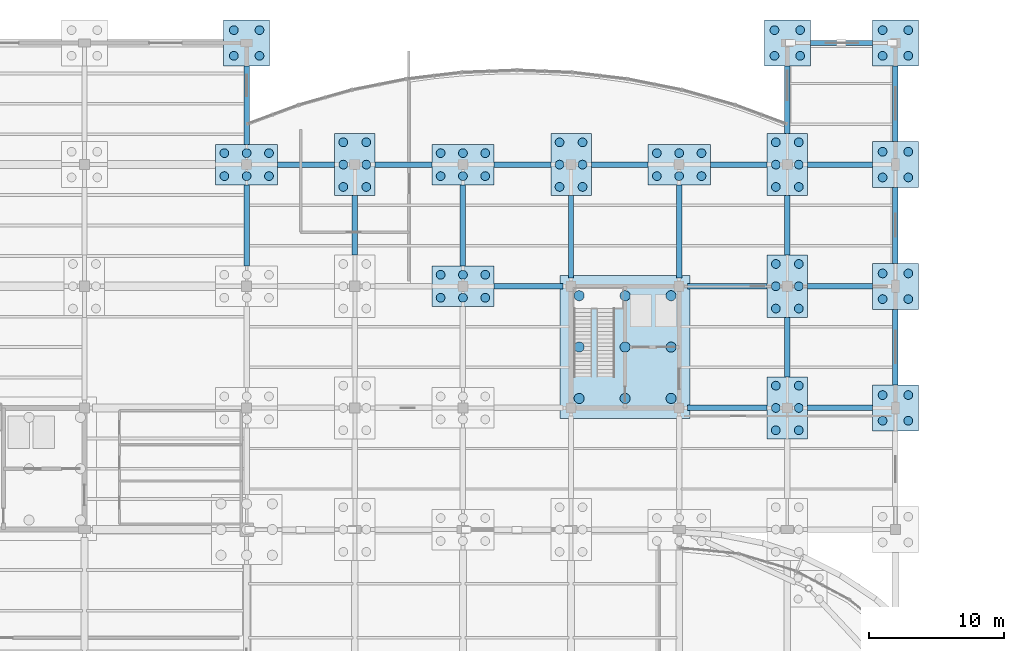
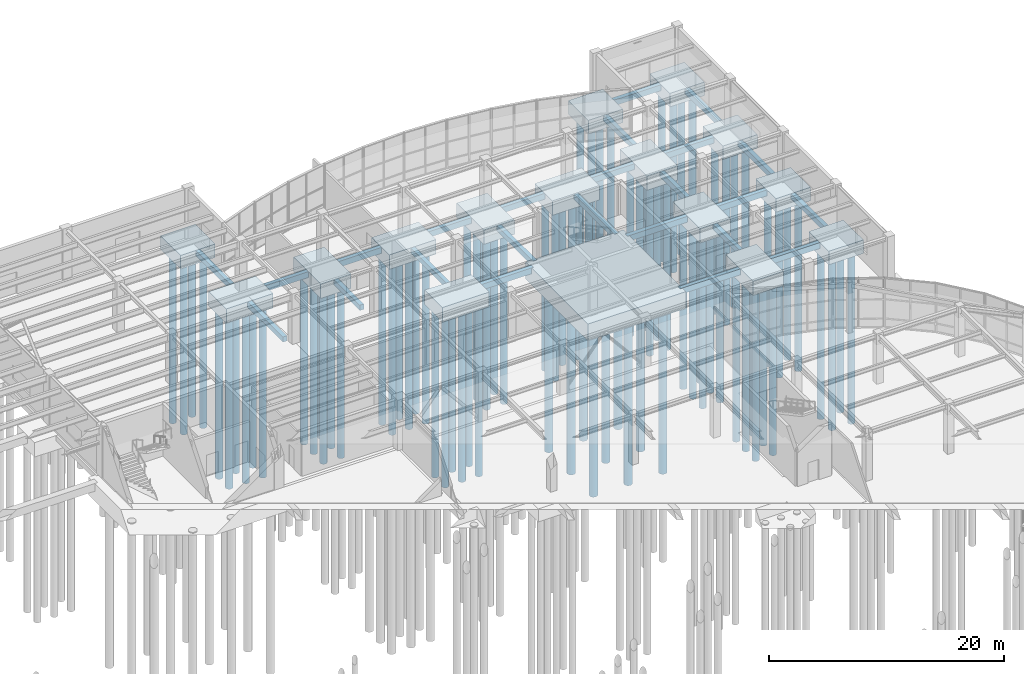
# One storey, part 10 of 85: 87 piles, 40 footings.
"""IFC4 building model written with IfcOpenShell, lengths in metres."""

from ifc_helpers import new_model, si_unit, direction, frame, origin, origin_2d, place, context, subcontext, project, spatial, polyline, rectangle, circle, outline, extrude, material, material_profile, profile_set, type_object, element, save


model = new_model("IFC4")

# Units and contexts
model_context = context("Model", 3, precision=1e-05, world=origin(), true_north=direction((0.0, 1.0)))
body_context = subcontext(model_context, "Body", "Model", "MODEL_VIEW")
ifc_project = project(units=[si_unit("LENGTHUNIT", "METRE"), si_unit("AREAUNIT", "SQUARE_METRE"), si_unit("VOLUMEUNIT", "CUBIC_METRE"), si_unit("PLANEANGLEUNIT", "RADIAN"), si_unit("MASSUNIT", "GRAM", prefix="KILO")], contexts=[model_context])

# Site, building, storey
site_placement = place(None, origin())
site = spatial("IfcSite", under=ifc_project, at=site_placement, CompositionType="ELEMENT")
building_placement = place(site_placement, origin())
building = spatial("IfcBuilding", under=site, at=building_placement, Name="Keelwater Ferry Terminal", CompositionType="ELEMENT")
storey_placement = place(building_placement, origin())
storey = spatial("IfcBuildingStorey", under=building, at=storey_placement, Name="L00", CompositionType="ELEMENT", Elevation=0.0)

# Piles
ifc_material_1 = material(Name="Concrete C45/55", Category="concrete")
ifc_material_profile_1 = material_profile(ifc_material_1, circle(Radius=0.375, at=origin_2d()), Name="PILE D750")
ifc_profile_set_1 = profile_set([ifc_material_profile_1], Name="Concrete C45/55")
pile_type_1 = type_object("IfcPileType", Name="P1 PILE D750", PredefinedType="DRIVEN", material=ifc_profile_set_1)
for number, where, z_axis, x_axis, name in (
    (1, (156.60009765625, 99.699951171875, -2.050048828125), (0.0, 0.0, -1.0), (1.0, 0.0, 0.0), "Driven Pile 0025"),
    (2, (156.60009765625, 103.5, -2.050048828125), (0.0, 0.0, -1.0), (1.0, 0.0, 0.0), "Driven Pile 0026"),
    (3, (156.60009765625, 107.300048828125, -2.050048828125), (0.0, 0.0, -1.0), (1.0, 0.0, 0.0), "Driven Pile 0027"),
    (4, (160.0, 99.699951171875, -2.050048828125), (0.0, 0.0, -1.0), (1.0, 0.0, 0.0), "Driven Pile 0028"),
    (5, (160.0, 103.5, -2.050048828125), (0.0, 0.0, -1.0), (1.0, 0.0, 0.0), "Driven Pile 0029"),
    (6, (160.0, 107.300048828125, -2.050048828125), (0.0, 0.0, -1.0), (1.0, 0.0, 0.0), "Driven Pile 0030"),
    (7, (163.39990234375, 99.699951171875, -2.050048828125), (0.0, 0.0, -1.0), (1.0, 0.0, 0.0), "Driven Pile 0031"),
    (8, (163.39990234375, 103.5, -2.050048828125), (0.0, 0.0, -1.0), (1.0, 0.0, 0.0), "Driven Pile 0032"),
    (9, (163.39990234375, 107.300048828125, -2.050048828125), (0.0, 0.0, -1.0), (1.0, 0.0, 0.0), "Driven Pile 0033"),
):
    element("IfcPile", number, at=place(storey_placement, frame(where, z_axis=z_axis, x_axis=x_axis)), inside=storey, type_object=pile_type_1, Name=name, PredefinedType="DRIVEN", context=body_context, shape_type="SweptSolid", body=[
        extrude(circle(Radius=0.375, at=origin_2d()), origin(), (0.0, 0.0, 1.0), 17.449951171875),
    ])
ifc_material_2 = material(Name="Concrete C45/55", Category="concrete")
ifc_material_profile_2 = material_profile(ifc_material_2, circle(Radius=0.324951171875, at=origin_2d()), Name="PILE D650")
ifc_profile_set_2 = profile_set([ifc_material_profile_2], Name="Concrete C45/55")
pile_type_2 = type_object("IfcPileType", Name="P2 PILE D650", PredefinedType="DRIVEN", material=ifc_profile_set_2)
for number, where, z_axis, x_axis, name in (
    (10, (130.35009765625, 116.14990234375, -1.800048828125), (0.0, 0.0, -1.0), (1.0, 0.0, 0.0), "Driven Pile 0387"),
    (11, (132.0, 116.14990234375, -1.800048828125), (0.0, 0.0, -1.0), (1.0, 0.0, 0.0), "Driven Pile 0388"),
    (12, (133.64990234375, 116.14990234375, -1.800048828125), (0.0, 0.0, -1.0), (1.0, 0.0, 0.0), "Driven Pile 0389"),
    (13, (130.35009765625, 117.85009765625, -1.800048828125), (0.0, 0.0, -1.0), (1.0, 0.0, 0.0), "Driven Pile 0390"),
    (14, (132.0, 117.85009765625, -1.800048828125), (0.0, 0.0, -1.0), (1.0, 0.0, 0.0), "Driven Pile 0391"),
    (15, (133.64990234375, 117.85009765625, -1.800048828125), (0.0, 0.0, -1.0), (1.0, 0.0, 0.0), "Driven Pile 0392"),
):
    element("IfcPile", number, at=place(storey_placement, frame(where, z_axis=z_axis, x_axis=x_axis)), inside=storey, type_object=pile_type_2, Name=name, PredefinedType="DRIVEN", context=body_context, shape_type="SweptSolid", body=[
        extrude(circle(Radius=0.324951171875, at=origin_2d()), origin(), (0.0, 0.0, 1.0), 17.699951171875),
    ])
for number, where, z_axis, x_axis, name in (
    (16, (131.050048828125, 125.050048828125, -1.699951171875), (0.0, 0.0, -1.0), (1.0, 0.0, 0.0), "Driven Pile 0393"),
    (17, (132.949951171875, 125.050048828125, -1.699951171875), (0.0, 0.0, -1.0), (1.0, 0.0, 0.0), "Driven Pile 0394"),
    (18, (131.050048828125, 126.949951171875, -1.699951171875), (0.0, 0.0, -1.0), (1.0, 0.0, 0.0), "Driven Pile 0395"),
    (19, (132.949951171875, 126.949951171875, -1.699951171875), (0.0, 0.0, -1.0), (1.0, 0.0, 0.0), "Driven Pile 0396"),
):
    element("IfcPile", number, at=place(storey_placement, frame(where, z_axis=z_axis, x_axis=x_axis)), inside=storey, type_object=pile_type_2, Name=name, PredefinedType="DRIVEN", context=body_context, shape_type="SweptSolid", body=[
        extrude(circle(Radius=0.324951171875, at=origin_2d()), origin(), (0.0, 0.0, 1.0), 17.800048828125),
    ])
for number, where, z_axis, x_axis, name in (
    (20, (139.14990234375, 115.35009765625, -1.800048828125), (0.0, 0.0, -1.0), (1.0, 0.0, 0.0), "Driven Pile 0445"),
    (21, (140.85009765625, 115.35009765625, -1.800048828125), (0.0, 0.0, -1.0), (1.0, 0.0, 0.0), "Driven Pile 0446"),
    (22, (139.14990234375, 117.0, -1.800048828125), (0.0, 0.0, -1.0), (1.0, 0.0, 0.0), "Driven Pile 0447"),
    (23, (140.85009765625, 117.0, -1.800048828125), (0.0, 0.0, -1.0), (1.0, 0.0, 0.0), "Driven Pile 0448"),
    (24, (139.14990234375, 118.64990234375, -1.800048828125), (0.0, 0.0, -1.0), (1.0, 0.0, 0.0), "Driven Pile 0449"),
    (25, (140.85009765625, 118.64990234375, -1.800048828125), (0.0, 0.0, -1.0), (1.0, 0.0, 0.0), "Driven Pile 0450"),
    (26, (146.35009765625, 107.14990234375, -1.800048828125), (0.0, 0.0, -1.0), (1.0, 0.0, 0.0), "Driven Pile 0479"),
    (27, (148.0, 107.14990234375, -1.800048828125), (0.0, 0.0, -1.0), (1.0, 0.0, 0.0), "Driven Pile 0480"),
    (28, (149.64990234375, 107.14990234375, -1.800048828125), (0.0, 0.0, -1.0), (1.0, 0.0, 0.0), "Driven Pile 0481"),
    (29, (146.35009765625, 108.85009765625, -1.800048828125), (0.0, 0.0, -1.0), (1.0, 0.0, 0.0), "Driven Pile 0482"),
    (30, (148.0, 108.85009765625, -1.800048828125), (0.0, 0.0, -1.0), (1.0, 0.0, 0.0), "Driven Pile 0483"),
    (31, (149.64990234375, 108.85009765625, -1.800048828125), (0.0, 0.0, -1.0), (1.0, 0.0, 0.0), "Driven Pile 0484"),
    (32, (146.35009765625, 116.14990234375, -1.800048828125), (0.0, 0.0, -1.0), (1.0, 0.0, 0.0), "Driven Pile 0485"),
    (33, (148.0, 116.14990234375, -1.800048828125), (0.0, 0.0, -1.0), (1.0, 0.0, 0.0), "Driven Pile 0486"),
    (34, (149.64990234375, 116.14990234375, -1.800048828125), (0.0, 0.0, -1.0), (1.0, 0.0, 0.0), "Driven Pile 0487"),
    (35, (146.35009765625, 117.85009765625, -1.800048828125), (0.0, 0.0, -1.0), (1.0, 0.0, 0.0), "Driven Pile 0488"),
    (36, (148.0, 117.85009765625, -1.800048828125), (0.0, 0.0, -1.0), (1.0, 0.0, 0.0), "Driven Pile 0489"),
    (37, (149.64990234375, 117.85009765625, -1.800048828125), (0.0, 0.0, -1.0), (1.0, 0.0, 0.0), "Driven Pile 0490"),
    (38, (155.14990234375, 115.35009765625, -1.800048828125), (0.0, 0.0, -1.0), (1.0, 0.0, 0.0), "Driven Pile 0509"),
    (39, (156.85009765625, 115.35009765625, -1.800048828125), (0.0, 0.0, -1.0), (1.0, 0.0, 0.0), "Driven Pile 0510"),
    (40, (155.14990234375, 117.0, -1.800048828125), (0.0, 0.0, -1.0), (1.0, 0.0, 0.0), "Driven Pile 0511"),
    (41, (156.85009765625, 117.0, -1.800048828125), (0.0, 0.0, -1.0), (1.0, 0.0, 0.0), "Driven Pile 0512"),
    (42, (155.14990234375, 118.64990234375, -1.800048828125), (0.0, 0.0, -1.0), (1.0, 0.0, 0.0), "Driven Pile 0513"),
    (43, (156.85009765625, 118.64990234375, -1.800048828125), (0.0, 0.0, -1.0), (1.0, 0.0, 0.0), "Driven Pile 0514"),
    (44, (162.35009765625, 116.14990234375, -1.800048828125), (0.0, 0.0, -1.0), (1.0, 0.0, 0.0), "Driven Pile 0537"),
    (45, (164.0, 116.14990234375, -1.800048828125), (0.0, 0.0, -1.0), (1.0, 0.0, 0.0), "Driven Pile 0538"),
    (46, (165.64990234375, 116.14990234375, -1.800048828125), (0.0, 0.0, -1.0), (1.0, 0.0, 0.0), "Driven Pile 0539"),
    (47, (162.35009765625, 117.85009765625, -1.800048828125), (0.0, 0.0, -1.0), (1.0, 0.0, 0.0), "Driven Pile 0540"),
    (48, (164.0, 117.85009765625, -1.800048828125), (0.0, 0.0, -1.0), (1.0, 0.0, 0.0), "Driven Pile 0541"),
    (49, (165.64990234375, 117.85009765625, -1.800048828125), (0.0, 0.0, -1.0), (1.0, 0.0, 0.0), "Driven Pile 0542"),
    (50, (171.14990234375, 97.35009765625, -1.800048828125), (0.0, 0.0, -1.0), (1.0, 0.0, 0.0), "Driven Pile 0561"),
    (51, (172.85009765625, 97.35009765625, -1.800048828125), (0.0, 0.0, -1.0), (1.0, 0.0, 0.0), "Driven Pile 0562"),
    (52, (171.14990234375, 99.0, -1.800048828125), (0.0, 0.0, -1.0), (1.0, 0.0, 0.0), "Driven Pile 0563"),
    (53, (172.85009765625, 99.0, -1.800048828125), (0.0, 0.0, -1.0), (1.0, 0.0, 0.0), "Driven Pile 0564"),
    (54, (171.14990234375, 100.64990234375, -1.800048828125), (0.0, 0.0, -1.0), (1.0, 0.0, 0.0), "Driven Pile 0565"),
    (55, (172.85009765625, 100.64990234375, -1.800048828125), (0.0, 0.0, -1.0), (1.0, 0.0, 0.0), "Driven Pile 0566"),
    (56, (171.14990234375, 106.35009765625, -1.800048828125), (0.0, 0.0, -1.0), (1.0, 0.0, 0.0), "Driven Pile 0567"),
    (57, (172.85009765625, 106.35009765625, -1.800048828125), (0.0, 0.0, -1.0), (1.0, 0.0, 0.0), "Driven Pile 0568"),
    (58, (171.14990234375, 108.0, -1.800048828125), (0.0, 0.0, -1.0), (1.0, 0.0, 0.0), "Driven Pile 0569"),
    (59, (172.85009765625, 108.0, -1.800048828125), (0.0, 0.0, -1.0), (1.0, 0.0, 0.0), "Driven Pile 0570"),
    (60, (171.14990234375, 109.64990234375, -1.800048828125), (0.0, 0.0, -1.0), (1.0, 0.0, 0.0), "Driven Pile 0571"),
    (61, (172.85009765625, 109.64990234375, -1.800048828125), (0.0, 0.0, -1.0), (1.0, 0.0, 0.0), "Driven Pile 0572"),
    (62, (171.14990234375, 115.35009765625, -1.800048828125), (0.0, 0.0, -1.0), (1.0, 0.0, 0.0), "Driven Pile 0573"),
    (63, (172.85009765625, 115.35009765625, -1.800048828125), (0.0, 0.0, -1.0), (1.0, 0.0, 0.0), "Driven Pile 0574"),
    (64, (171.14990234375, 117.0, -1.800048828125), (0.0, 0.0, -1.0), (1.0, 0.0, 0.0), "Driven Pile 0575"),
    (65, (172.85009765625, 117.0, -1.800048828125), (0.0, 0.0, -1.0), (1.0, 0.0, 0.0), "Driven Pile 0576"),
    (66, (171.14990234375, 118.64990234375, -1.800048828125), (0.0, 0.0, -1.0), (1.0, 0.0, 0.0), "Driven Pile 0577"),
    (67, (172.85009765625, 118.64990234375, -1.800048828125), (0.0, 0.0, -1.0), (1.0, 0.0, 0.0), "Driven Pile 0578"),
):
    element("IfcPile", number, at=place(storey_placement, frame(where, z_axis=z_axis, x_axis=x_axis)), inside=storey, type_object=pile_type_2, Name=name, PredefinedType="DRIVEN", context=body_context, shape_type="SweptSolid", body=[
        extrude(circle(Radius=0.324951171875, at=origin_2d()), origin(), (0.0, 0.0, 1.0), 17.699951171875),
    ])
for number, where, z_axis, x_axis, name in (
    (68, (171.050048828125, 125.050048828125, -1.699951171875), (0.0, 0.0, -1.0), (1.0, 0.0, 0.0), "Driven Pile 0579"),
    (69, (172.949951171875, 125.050048828125, -1.699951171875), (0.0, 0.0, -1.0), (1.0, 0.0, 0.0), "Driven Pile 0580"),
    (70, (171.050048828125, 126.949951171875, -1.699951171875), (0.0, 0.0, -1.0), (1.0, 0.0, 0.0), "Driven Pile 0581"),
    (71, (172.949951171875, 126.949951171875, -1.699951171875), (0.0, 0.0, -1.0), (1.0, 0.0, 0.0), "Driven Pile 0582"),
    (72, (179.050048828125, 98.050048828125, -1.699951171875), (0.0, 0.0, -1.0), (1.0, 0.0, 0.0), "Driven Pile 0599"),
    (73, (180.949951171875, 98.050048828125, -1.699951171875), (0.0, 0.0, -1.0), (1.0, 0.0, 0.0), "Driven Pile 0600"),
    (74, (179.050048828125, 99.949951171875, -1.699951171875), (0.0, 0.0, -1.0), (1.0, 0.0, 0.0), "Driven Pile 0601"),
    (75, (180.949951171875, 99.949951171875, -1.699951171875), (0.0, 0.0, -1.0), (1.0, 0.0, 0.0), "Driven Pile 0602"),
    (76, (179.050048828125, 107.050048828125, -1.699951171875), (0.0, 0.0, -1.0), (1.0, 0.0, 0.0), "Driven Pile 0603"),
    (77, (180.949951171875, 107.050048828125, -1.699951171875), (0.0, 0.0, -1.0), (1.0, 0.0, 0.0), "Driven Pile 0604"),
    (78, (179.050048828125, 108.949951171875, -1.699951171875), (0.0, 0.0, -1.0), (1.0, 0.0, 0.0), "Driven Pile 0605"),
    (79, (180.949951171875, 108.949951171875, -1.699951171875), (0.0, 0.0, -1.0), (1.0, 0.0, 0.0), "Driven Pile 0606"),
    (80, (179.050048828125, 116.050048828125, -1.699951171875), (0.0, 0.0, -1.0), (1.0, 0.0, 0.0), "Driven Pile 0607"),
    (81, (180.949951171875, 116.050048828125, -1.699951171875), (0.0, 0.0, -1.0), (1.0, 0.0, 0.0), "Driven Pile 0608"),
    (82, (179.050048828125, 117.949951171875, -1.699951171875), (0.0, 0.0, -1.0), (1.0, 0.0, 0.0), "Driven Pile 0609"),
    (83, (180.949951171875, 117.949951171875, -1.699951171875), (0.0, 0.0, -1.0), (1.0, 0.0, 0.0), "Driven Pile 0610"),
    (84, (179.050048828125, 125.050048828125, -1.699951171875), (0.0, 0.0, -1.0), (1.0, 0.0, 0.0), "Driven Pile 0611"),
    (85, (180.949951171875, 125.050048828125, -1.699951171875), (0.0, 0.0, -1.0), (1.0, 0.0, 0.0), "Driven Pile 0612"),
    (86, (179.050048828125, 126.949951171875, -1.699951171875), (0.0, 0.0, -1.0), (1.0, 0.0, 0.0), "Driven Pile 0613"),
    (87, (180.949951171875, 126.949951171875, -1.699951171875), (0.0, 0.0, -1.0), (1.0, 0.0, 0.0), "Driven Pile 0614"),
):
    element("IfcPile", number, at=place(storey_placement, frame(where, z_axis=z_axis, x_axis=x_axis)), inside=storey, type_object=pile_type_2, Name=name, PredefinedType="DRIVEN", context=body_context, shape_type="SweptSolid", body=[
        extrude(circle(Radius=0.324951171875, at=origin_2d()), origin(), (0.0, 0.0, 1.0), 17.800048828125),
    ])

# Footings
ifc_material_3 = material(Name="Concrete C40/50", Category="concrete")
footing_type_1 = type_object("IfcFootingType", Name="PC06 3400x3400x1400", PredefinedType="PILE_CAP", material=ifc_material_3)
footing_1_placement = place(storey_placement, frame((0.0, 0.0, -1.800048828125)))
element("IfcFooting", 88, at=footing_1_placement, inside=storey, type_object=footing_type_1, Name="Pile Cap FT-CAP-0107", PredefinedType="PILE_CAP", context=body_context, shape_type="SweptSolid", body=[
    extrude(outline(polyline([(130.300048828125, 124.300048828125), (133.699951171875, 124.300048828125), (133.699951171875, 127.699951171875), (130.300048828125, 127.699951171875), (130.300048828125, 124.300048828125)])), origin(), (0.0, 0.0, 1.0), 1.400146484375),
])
footing_2_placement = place(storey_placement, frame((0.0, 0.0, -1.800048828125)))
element("IfcFooting", 89, at=footing_2_placement, inside=storey, type_object=footing_type_1, Name="Pile Cap FT-CAP-0147", PredefinedType="PILE_CAP", context=body_context, shape_type="SweptSolid", body=[
    extrude(outline(polyline([(170.300048828125, 124.300048828125), (173.699951171875, 124.300048828125), (173.699951171875, 127.699951171875), (170.300048828125, 127.699951171875), (170.300048828125, 124.300048828125)])), origin(), (0.0, 0.0, 1.0), 1.400146484375),
])
footing_3_placement = place(storey_placement, frame((0.0, 0.0, -1.800048828125)))
element("IfcFooting", 90, at=footing_3_placement, inside=storey, type_object=footing_type_1, Name="Pile Cap FT-CAP-0152", PredefinedType="PILE_CAP", context=body_context, shape_type="SweptSolid", body=[
    extrude(outline(polyline([(178.300048828125, 97.300048828125), (181.699951171875, 97.300048828125), (181.699951171875, 100.699951171875), (178.300048828125, 100.699951171875), (178.300048828125, 97.300048828125)])), origin(), (0.0, 0.0, 1.0), 1.400146484375),
])
footing_4_placement = place(storey_placement, frame((0.0, 0.0, -1.800048828125)))
element("IfcFooting", 91, at=footing_4_placement, inside=storey, type_object=footing_type_1, Name="Pile Cap FT-CAP-0153", PredefinedType="PILE_CAP", context=body_context, shape_type="SweptSolid", body=[
    extrude(outline(polyline([(178.300048828125, 106.300048828125), (181.699951171875, 106.300048828125), (181.699951171875, 109.699951171875), (178.300048828125, 109.699951171875), (178.300048828125, 106.300048828125)])), origin(), (0.0, 0.0, 1.0), 1.400146484375),
])
footing_5_placement = place(storey_placement, frame((0.0, 0.0, -1.800048828125)))
element("IfcFooting", 92, at=footing_5_placement, inside=storey, type_object=footing_type_1, Name="Pile Cap FT-CAP-0154", PredefinedType="PILE_CAP", context=body_context, shape_type="SweptSolid", body=[
    extrude(outline(polyline([(178.300048828125, 115.300048828125), (181.699951171875, 115.300048828125), (181.699951171875, 118.699951171875), (178.300048828125, 118.699951171875), (178.300048828125, 115.300048828125)])), origin(), (0.0, 0.0, 1.0), 1.400146484375),
])
footing_6_placement = place(storey_placement, frame((0.0, 0.0, -1.800048828125)))
element("IfcFooting", 93, at=footing_6_placement, inside=storey, type_object=footing_type_1, Name="Pile Cap FT-CAP-0155", PredefinedType="PILE_CAP", context=body_context, shape_type="SweptSolid", body=[
    extrude(outline(polyline([(178.300048828125, 124.300048828125), (181.699951171875, 124.300048828125), (181.699951171875, 127.699951171875), (178.300048828125, 127.699951171875), (178.300048828125, 124.300048828125)])), origin(), (0.0, 0.0, 1.0), 1.400146484375),
])
ifc_material_4 = material(Name="Concrete C40/50", Category="concrete")
footing_type_2 = type_object("IfcFootingType", Name="PC07 4600x3000x1500", PredefinedType="PILE_CAP", material=ifc_material_4)
footing_7_placement = place(storey_placement, frame((0.0, 0.0, -1.89990234375)))
element("IfcFooting", 94, at=footing_7_placement, inside=storey, type_object=footing_type_2, Name="Pile Cap FT-CAP-0106", PredefinedType="PILE_CAP", context=body_context, shape_type="SweptSolid", body=[
    extrude(outline(polyline([(129.699951171875, 115.5), (134.300048828125, 115.5), (134.300048828125, 118.5), (129.699951171875, 118.5), (129.699951171875, 115.5)])), origin(), (0.0, 0.0, 1.0), 1.5),
])
footing_8_placement = place(storey_placement, frame((0.0, 0.0, -1.89990234375)))
element("IfcFooting", 95, at=footing_8_placement, inside=storey, type_object=footing_type_2, Name="Pile Cap FT-CAP-0128", PredefinedType="PILE_CAP", context=body_context, shape_type="SweptSolid", body=[
    extrude(outline(polyline([(145.699951171875, 106.5), (150.300048828125, 106.5), (150.300048828125, 109.5), (145.699951171875, 109.5), (145.699951171875, 106.5)])), origin(), (0.0, 0.0, 1.0), 1.5),
])
footing_9_placement = place(storey_placement, frame((0.0, 0.0, -1.89990234375)))
element("IfcFooting", 96, at=footing_9_placement, inside=storey, type_object=footing_type_2, Name="Pile Cap FT-CAP-0129", PredefinedType="PILE_CAP", context=body_context, shape_type="SweptSolid", body=[
    extrude(outline(polyline([(145.699951171875, 115.5), (150.300048828125, 115.5), (150.300048828125, 118.5), (145.699951171875, 118.5), (145.699951171875, 115.5)])), origin(), (0.0, 0.0, 1.0), 1.5),
])
footing_10_placement = place(storey_placement, frame((0.0, 0.0, -1.89990234375)))
element("IfcFooting", 97, at=footing_10_placement, inside=storey, type_object=footing_type_2, Name="Pile Cap FT-CAP-0139", PredefinedType="PILE_CAP", context=body_context, shape_type="SweptSolid", body=[
    extrude(outline(polyline([(161.699951171875, 115.5), (166.300048828125, 115.5), (166.300048828125, 118.5), (161.699951171875, 118.5), (161.699951171875, 115.5)])), origin(), (0.0, 0.0, 1.0), 1.5),
])
ifc_material_5 = material(Name="Concrete C40/50", Category="concrete")
footing_type_3 = type_object("IfcFootingType", Name="PC08 3000x4600x1500", PredefinedType="PILE_CAP", material=ifc_material_5)
footing_11_placement = place(storey_placement, frame((0.0, 0.0, -1.89990234375)))
element("IfcFooting", 98, at=footing_11_placement, inside=storey, type_object=footing_type_3, Name="Pile Cap FT-CAP-0119", PredefinedType="PILE_CAP", context=body_context, shape_type="SweptSolid", body=[
    extrude(outline(polyline([(138.5, 114.699951171875), (141.5, 114.699951171875), (141.5, 119.300048828125), (138.5, 119.300048828125), (138.5, 114.699951171875)])), origin(), (0.0, 0.0, 1.0), 1.5),
])
footing_12_placement = place(storey_placement, frame((0.0, 0.0, -1.89990234375)))
element("IfcFooting", 99, at=footing_12_placement, inside=storey, type_object=footing_type_3, Name="Pile Cap FT-CAP-0133", PredefinedType="PILE_CAP", context=body_context, shape_type="SweptSolid", body=[
    extrude(outline(polyline([(154.5, 114.699951171875), (157.5, 114.699951171875), (157.5, 119.300048828125), (154.5, 119.300048828125), (154.5, 114.699951171875)])), origin(), (0.0, 0.0, 1.0), 1.5),
])
footing_13_placement = place(storey_placement, frame((0.0, 0.0, -1.89990234375)))
element("IfcFooting", 100, at=footing_13_placement, inside=storey, type_object=footing_type_3, Name="Pile Cap FT-CAP-0144", PredefinedType="PILE_CAP", context=body_context, shape_type="SweptSolid", body=[
    extrude(outline(polyline([(170.5, 96.699951171875), (173.5, 96.699951171875), (173.5, 101.300048828125), (170.5, 101.300048828125), (170.5, 96.699951171875)])), origin(), (0.0, 0.0, 1.0), 1.5),
])
footing_14_placement = place(storey_placement, frame((0.0, 0.0, -1.89990234375)))
element("IfcFooting", 101, at=footing_14_placement, inside=storey, type_object=footing_type_3, Name="Pile Cap FT-CAP-0145", PredefinedType="PILE_CAP", context=body_context, shape_type="SweptSolid", body=[
    extrude(outline(polyline([(170.5, 105.699951171875), (173.5, 105.699951171875), (173.5, 110.300048828125), (170.5, 110.300048828125), (170.5, 105.699951171875)])), origin(), (0.0, 0.0, 1.0), 1.5),
])
footing_15_placement = place(storey_placement, frame((0.0, 0.0, -1.89990234375)))
element("IfcFooting", 102, at=footing_15_placement, inside=storey, type_object=footing_type_3, Name="Pile Cap FT-CAP-0146", PredefinedType="PILE_CAP", context=body_context, shape_type="SweptSolid", body=[
    extrude(outline(polyline([(170.5, 114.699951171875), (173.5, 114.699951171875), (173.5, 119.300048828125), (170.5, 119.300048828125), (170.5, 114.699951171875)])), origin(), (0.0, 0.0, 1.0), 1.5),
])
ifc_material_6 = material(Name="Concrete C40/50", Category="concrete")
footing_type_4 = type_object("IfcFootingType", Name="PC16 9600x10600x1750", PredefinedType="PILE_CAP", material=ifc_material_6)
footing_16_placement = place(storey_placement, frame((0.0, 0.0, -2.14990234375)))
element("IfcFooting", 103, at=footing_16_placement, inside=storey, type_object=footing_type_4, Name="Core C3 Combined Pile Cap", PredefinedType="PILE_CAP", context=body_context, shape_type="SweptSolid", body=[
    extrude(outline(polyline([(155.199951171875, 98.199951171875), (164.800048828125, 98.199951171875), (164.800048828125, 108.800048828125), (155.199951171875, 108.800048828125), (155.199951171875, 98.199951171875)])), origin(), (0.0, 0.0, 1.0), 1.75),
])
ifc_material_7 = material(Name="Concrete C40/50", Category="concrete")
ifc_material_profile_3 = material_profile(ifc_material_7, rectangle(XDim=0.39990234375, YDim=0.60009765625, at=origin_2d()), Name="TB 400x600")
ifc_profile_set_3 = profile_set([ifc_material_profile_3], Name="Concrete C40/50")
footing_type_5 = type_object("IfcFootingType", Name="TB5 400x600", PredefinedType="FOOTING_BEAM", material=ifc_profile_set_3)
footing_17_placement = place(storey_placement, frame((164.60009765625, 99.0, -0.699951171875), z_axis=(1.0, 0.0, 0.0), x_axis=(0.0, 1.0, 0.0)))
element("IfcFooting", 104, at=footing_17_placement, inside=storey, type_object=footing_type_5, Name="Ground Tie Beam 0108", PredefinedType="FOOTING_BEAM", context=body_context, shape_type="SweptSolid", body=[
    extrude(rectangle(XDim=0.39990234375, YDim=0.60009765625, at=origin_2d()), origin(), (0.0, 0.0, 1.0), 5.89990234375),
])
footing_18_placement = place(storey_placement, frame((173.5, 99.0, -0.699951171875), z_axis=(1.0, 0.0, 0.0), x_axis=(0.0, 1.0, 0.0)))
element("IfcFooting", 105, at=footing_18_placement, inside=storey, type_object=footing_type_5, Name="Ground Tie Beam 0109", PredefinedType="FOOTING_BEAM", context=body_context, shape_type="SweptSolid", body=[
    extrude(rectangle(XDim=0.39990234375, YDim=0.60009765625, at=origin_2d()), origin(), (0.0, 0.0, 1.0), 4.800048828125),
])
footing_19_placement = place(storey_placement, frame((150.300048828125, 108.0, -0.699951171875), z_axis=(1.0, 0.0, 0.0), x_axis=(0.0, 1.0, 0.0)))
element("IfcFooting", 106, at=footing_19_placement, inside=storey, type_object=footing_type_5, Name="Ground Tie Beam 0122", PredefinedType="FOOTING_BEAM", context=body_context, shape_type="SweptSolid", body=[
    extrude(rectangle(XDim=0.39990234375, YDim=0.60009765625, at=origin_2d()), origin(), (0.0, 0.0, 1.0), 5.099853515625),
])
footing_20_placement = place(storey_placement, frame((164.60009765625, 108.0, -0.699951171875), z_axis=(1.0, 0.0, 0.0), x_axis=(0.0, 1.0, 0.0)))
element("IfcFooting", 107, at=footing_20_placement, inside=storey, type_object=footing_type_5, Name="Ground Tie Beam 0123", PredefinedType="FOOTING_BEAM", context=body_context, shape_type="SweptSolid", body=[
    extrude(rectangle(XDim=0.39990234375, YDim=0.60009765625, at=origin_2d()), origin(), (0.0, 0.0, 1.0), 5.89990234375),
])
footing_21_placement = place(storey_placement, frame((173.5, 108.0, -0.699951171875), z_axis=(1.0, 0.0, 0.0), x_axis=(0.0, 1.0, 0.0)))
element("IfcFooting", 108, at=footing_21_placement, inside=storey, type_object=footing_type_5, Name="Ground Tie Beam 0124", PredefinedType="FOOTING_BEAM", context=body_context, shape_type="SweptSolid", body=[
    extrude(rectangle(XDim=0.39990234375, YDim=0.60009765625, at=origin_2d()), origin(), (0.0, 0.0, 1.0), 4.800048828125),
])
for number, where, z_axis, x_axis, name in (
    (109, (134.300048828125, 117.0, -0.699951171875), (1.0, 0.0, 0.0), (0.0, 1.0, 0.0), "Ground Tie Beam 0132"),
    (110, (141.5, 117.0, -0.699951171875), (1.0, 0.0, 0.0), (0.0, 1.0, 0.0), "Ground Tie Beam 0133"),
    (111, (150.300048828125, 117.0, -0.699951171875), (1.0, 0.0, 0.0), (0.0, 1.0, 0.0), "Ground Tie Beam 0134"),
    (112, (157.5, 117.0, -0.699951171875), (1.0, 0.0, 0.0), (0.0, 1.0, 0.0), "Ground Tie Beam 0135"),
    (113, (166.300048828125, 117.0, -0.699951171875), (1.0, 0.0, 0.0), (0.0, 1.0, 0.0), "Ground Tie Beam 0136"),
):
    element("IfcFooting", number, at=place(storey_placement, frame(where, z_axis=z_axis, x_axis=x_axis)), inside=storey, type_object=footing_type_5, Name=name, PredefinedType="FOOTING_BEAM", context=body_context, shape_type="SweptSolid", body=[
        extrude(rectangle(XDim=0.39990234375, YDim=0.60009765625, at=origin_2d()), origin(), (0.0, 0.0, 1.0), 4.199951171875),
    ])
footing_22_placement = place(storey_placement, frame((173.5, 117.0, -0.699951171875), z_axis=(1.0, 0.0, 0.0), x_axis=(0.0, 1.0, 0.0)))
element("IfcFooting", 114, at=footing_22_placement, inside=storey, type_object=footing_type_5, Name="Ground Tie Beam 0137", PredefinedType="FOOTING_BEAM", context=body_context, shape_type="SweptSolid", body=[
    extrude(rectangle(XDim=0.39990234375, YDim=0.60009765625, at=origin_2d()), origin(), (0.0, 0.0, 1.0), 4.800048828125),
])
footing_23_placement = place(storey_placement, frame((173.699951171875, 126.0, -0.699951171875), z_axis=(1.0, 0.0, 0.0), x_axis=(0.0, 1.0, 0.0)))
element("IfcFooting", 115, at=footing_23_placement, inside=storey, type_object=footing_type_5, Name="Ground Tie Beam 0145", PredefinedType="FOOTING_BEAM", context=body_context, shape_type="SweptSolid", body=[
    extrude(rectangle(XDim=0.39990234375, YDim=0.60009765625, at=origin_2d()), origin(), (0.0, 0.0, 1.0), 4.60009765625),
])
ifc_material_8 = material(Name="Concrete C40/50", Category="concrete")
ifc_material_profile_4 = material_profile(ifc_material_8, rectangle(XDim=0.39990234375, YDim=0.550048828125, at=origin_2d()), Name="TB 400x550")
ifc_profile_set_4 = profile_set([ifc_material_profile_4], Name="Concrete C40/50")
footing_type_6 = type_object("IfcFootingType", Name="TB6 400x550", PredefinedType="FOOTING_BEAM", material=ifc_profile_set_4)
footing_24_placement = place(storey_placement, frame((132.0, 109.5, -0.675048828125), z_axis=(0.0, 1.0, 0.0), x_axis=(-1.0, 0.0, 0.0)))
element("IfcFooting", 116, at=footing_24_placement, inside=storey, type_object=footing_type_6, Name="Ground Tie Beam 0242", PredefinedType="FOOTING_BEAM", context=body_context, shape_type="SweptSolid", body=[
    extrude(rectangle(XDim=0.39990234375, YDim=0.550048828125, at=origin_2d()), origin(), (0.0, 0.0, 1.0), 6.0),
])
footing_25_placement = place(storey_placement, frame((132.0, 118.5, -0.675048828125), z_axis=(0.0, 1.0, 0.0), x_axis=(-1.0, 0.0, 0.0)))
element("IfcFooting", 117, at=footing_25_placement, inside=storey, type_object=footing_type_6, Name="Ground Tie Beam 0243", PredefinedType="FOOTING_BEAM", context=body_context, shape_type="SweptSolid", body=[
    extrude(rectangle(XDim=0.39990234375, YDim=0.550048828125, at=origin_2d()), origin(), (0.0, 0.0, 1.0), 5.800048828125),
])
footing_26_placement = place(storey_placement, frame((140.0, 110.300048828125, -0.675048828125), z_axis=(0.0, 1.0, 0.0), x_axis=(-1.0, 0.0, 0.0)))
element("IfcFooting", 118, at=footing_26_placement, inside=storey, type_object=footing_type_6, Name="Ground Tie Beam 0254", PredefinedType="FOOTING_BEAM", context=body_context, shape_type="SweptSolid", body=[
    extrude(rectangle(XDim=0.39990234375, YDim=0.550048828125, at=origin_2d()), origin(), (0.0, 0.0, 1.0), 4.39990234375),
])
footing_27_placement = place(storey_placement, frame((148.0, 109.5, -0.675048828125), z_axis=(0.0, 1.0, 0.0), x_axis=(-1.0, 0.0, 0.0)))
element("IfcFooting", 119, at=footing_27_placement, inside=storey, type_object=footing_type_6, Name="Ground Tie Beam 0264", PredefinedType="FOOTING_BEAM", context=body_context, shape_type="SweptSolid", body=[
    extrude(rectangle(XDim=0.39990234375, YDim=0.550048828125, at=origin_2d()), origin(), (0.0, 0.0, 1.0), 6.0),
])
footing_28_placement = place(storey_placement, frame((156.0, 108.60009765625, -0.675048828125), z_axis=(0.0, 1.0, 0.0), x_axis=(-1.0, 0.0, 0.0)))
element("IfcFooting", 120, at=footing_28_placement, inside=storey, type_object=footing_type_6, Name="Ground Tie Beam 0269", PredefinedType="FOOTING_BEAM", context=body_context, shape_type="SweptSolid", body=[
    extrude(rectangle(XDim=0.39990234375, YDim=0.550048828125, at=origin_2d()), origin(), (0.0, 0.0, 1.0), 6.099853515625),
])
footing_29_placement = place(storey_placement, frame((164.0, 108.60009765625, -0.675048828125), z_axis=(0.0, 1.0, 0.0), x_axis=(-1.0, 0.0, 0.0)))
element("IfcFooting", 121, at=footing_29_placement, inside=storey, type_object=footing_type_6, Name="Ground Tie Beam 0275", PredefinedType="FOOTING_BEAM", context=body_context, shape_type="SweptSolid", body=[
    extrude(rectangle(XDim=0.39990234375, YDim=0.550048828125, at=origin_2d()), origin(), (0.0, 0.0, 1.0), 6.89990234375),
])
for number, where, z_axis, x_axis, name in (
    (122, (172.0, 101.300048828125, -0.675048828125), (0.0, 1.0, 0.0), (-1.0, 0.0, 0.0), "Ground Tie Beam 0280"),
    (123, (172.0, 110.300048828125, -0.675048828125), (0.0, 1.0, 0.0), (-1.0, 0.0, 0.0), "Ground Tie Beam 0281"),
):
    element("IfcFooting", number, at=place(storey_placement, frame(where, z_axis=z_axis, x_axis=x_axis)), inside=storey, type_object=footing_type_6, Name=name, PredefinedType="FOOTING_BEAM", context=body_context, shape_type="SweptSolid", body=[
        extrude(rectangle(XDim=0.39990234375, YDim=0.550048828125, at=origin_2d()), origin(), (0.0, 0.0, 1.0), 4.39990234375),
    ])
footing_30_placement = place(storey_placement, frame((172.0, 119.300048828125, -0.675048828125), z_axis=(0.0, 1.0, 0.0), x_axis=(-1.0, 0.0, 0.0)))
element("IfcFooting", 124, at=footing_30_placement, inside=storey, type_object=footing_type_6, Name="Ground Tie Beam 0282", PredefinedType="FOOTING_BEAM", context=body_context, shape_type="SweptSolid", body=[
    extrude(rectangle(XDim=0.39990234375, YDim=0.550048828125, at=origin_2d()), origin(), (0.0, 0.0, 1.0), 5.0),
])
for number, where, z_axis, x_axis, name in (
    (125, (180.0, 100.699951171875, -0.675048828125), (0.0, 1.0, 0.0), (-1.0, 0.0, 0.0), "Ground Tie Beam 0287"),
    (126, (180.0, 109.699951171875, -0.675048828125), (0.0, 1.0, 0.0), (-1.0, 0.0, 0.0), "Ground Tie Beam 0288"),
    (127, (180.0, 118.699951171875, -0.675048828125), (0.0, 1.0, 0.0), (-1.0, 0.0, 0.0), "Ground Tie Beam 0289"),
):
    element("IfcFooting", number, at=place(storey_placement, frame(where, z_axis=z_axis, x_axis=x_axis)), inside=storey, type_object=footing_type_6, Name=name, PredefinedType="FOOTING_BEAM", context=body_context, shape_type="SweptSolid", body=[
        extrude(rectangle(XDim=0.39990234375, YDim=0.550048828125, at=origin_2d()), origin(), (0.0, 0.0, 1.0), 5.60009765625),
    ])

save(model, "model.ifc")
